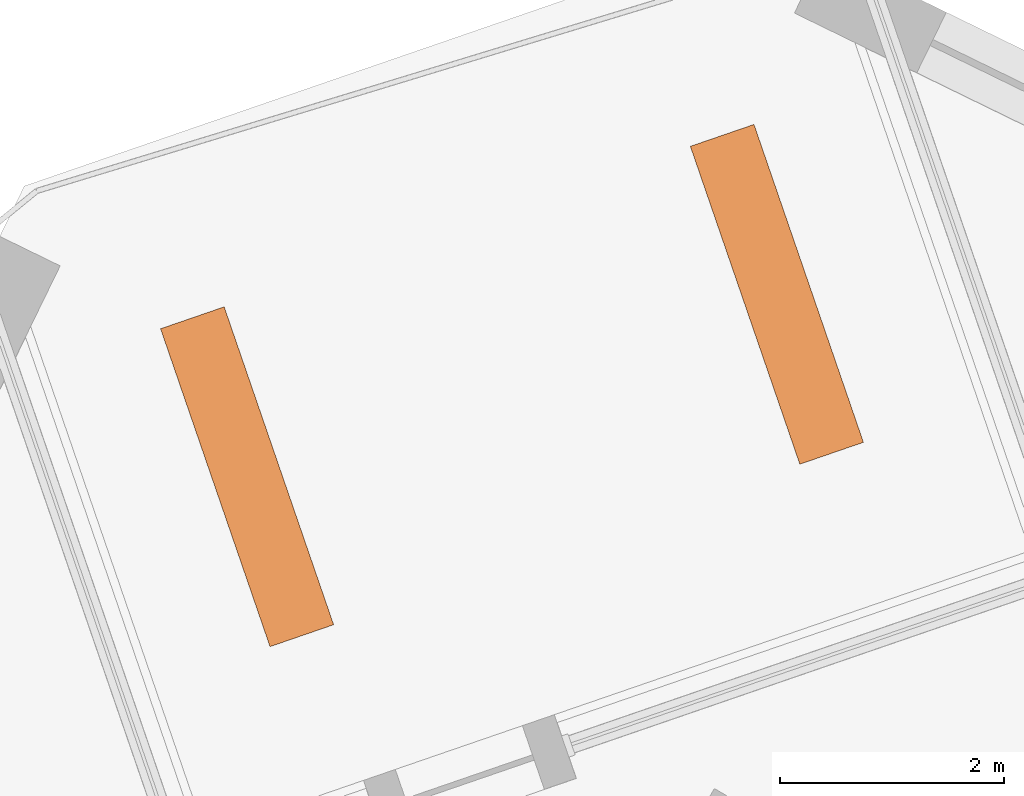
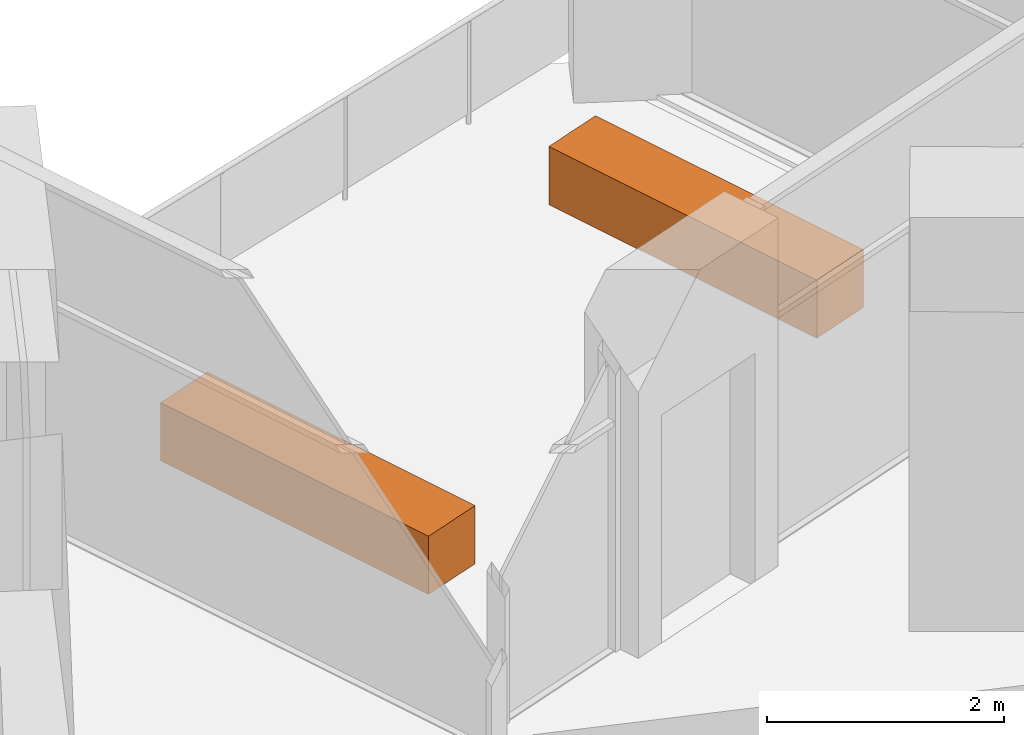
# One storey, part 13 of 13: 2 proxies.
"""IFC4 building model written with IfcOpenShell, lengths in metres."""

from ifc_helpers import new_model, si_unit, direction, frame, origin, origin_2d, place, context, subcontext, project, spatial, rectangle, extrude, element, save


model = new_model("IFC4")

# Units and contexts
model_context = context("Model", 3, precision=1e-05, world=origin(), true_north=direction((0.0, 1.0)))
body_context = subcontext(model_context, "Body", "Model", "MODEL_VIEW")
ifc_project = project(units=[si_unit("LENGTHUNIT", "METRE"), si_unit("AREAUNIT", "SQUARE_METRE"), si_unit("VOLUMEUNIT", "CUBIC_METRE"), si_unit("PLANEANGLEUNIT", "RADIAN"), si_unit("MASSUNIT", "GRAM", prefix="KILO")], contexts=[model_context])

# Site, building, storey
site_placement = place(None, origin())
site = spatial("IfcSite", under=ifc_project, at=site_placement, CompositionType="ELEMENT")
building_placement = place(site_placement, origin())
building = spatial("IfcBuilding", under=site, at=building_placement, Name="Dilmun Exchange Tower", CompositionType="ELEMENT")
storey_placement = place(building_placement, frame((0.0, 0.0, 286.89990234375)))
storey = spatial("IfcBuildingStorey", under=building, at=storey_placement, Name="L68", CompositionType="ELEMENT", Elevation=286.89990234375)

# Proxies
for number, where, z_axis, x_axis, name in (
    (1, (-3.626220703125, 31.89306640625, 0.0), (0.0, 0.0, 1.0), (-0.325568154457, 0.945518575599, 0.0), "PLANTER Ghaf tree L68.1"),
    (2, (-8.353759765625, 30.265380859375, 0.0), (0.0, 0.0, 1.0), (-0.325568154457, 0.945518575599, 0.0), "PLANTER Ghaf tree L68.2"),
):
    element("IfcBuildingElementProxy", number, at=place(storey_placement, frame(where, z_axis=z_axis, x_axis=x_axis)), inside=storey, Name=name, ObjectType="PLANTER", PredefinedType="USERDEFINED", context=body_context, shape_type="SweptSolid", body=[
        extrude(rectangle(XDim=3.0, YDim=0.60009765625, at=origin_2d()), origin(), (0.0, 0.0, 1.0), 0.60009765625),
    ])

save(model, "model.ifc")
